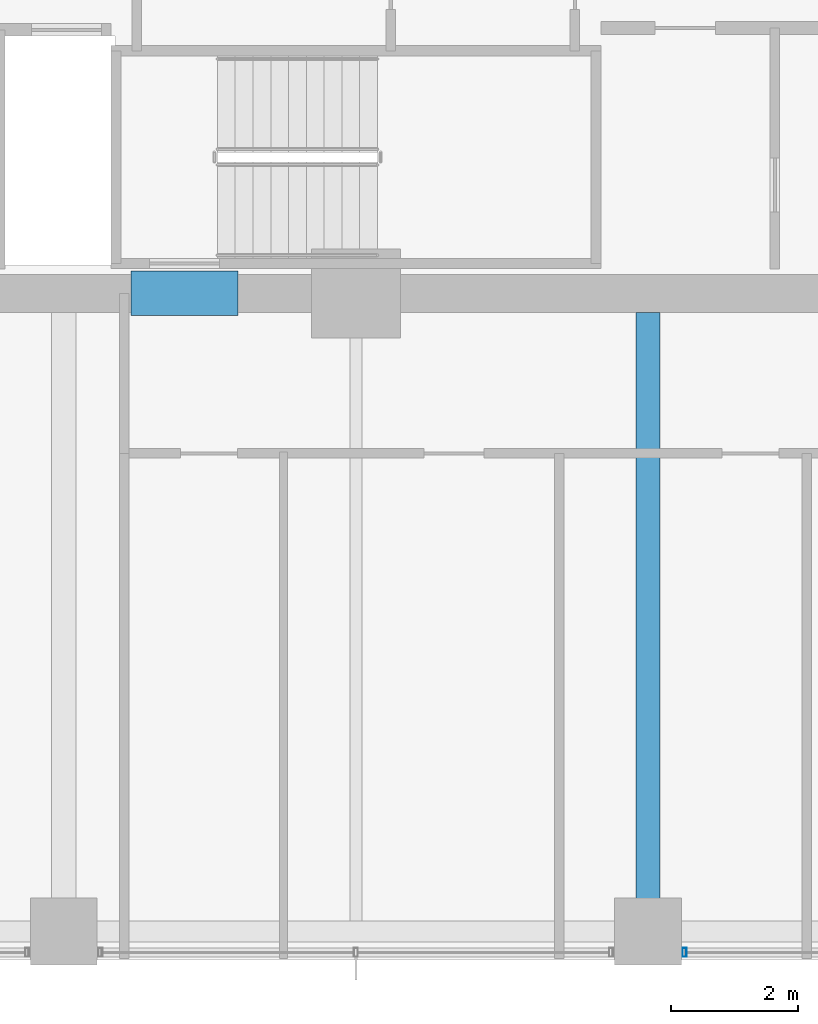
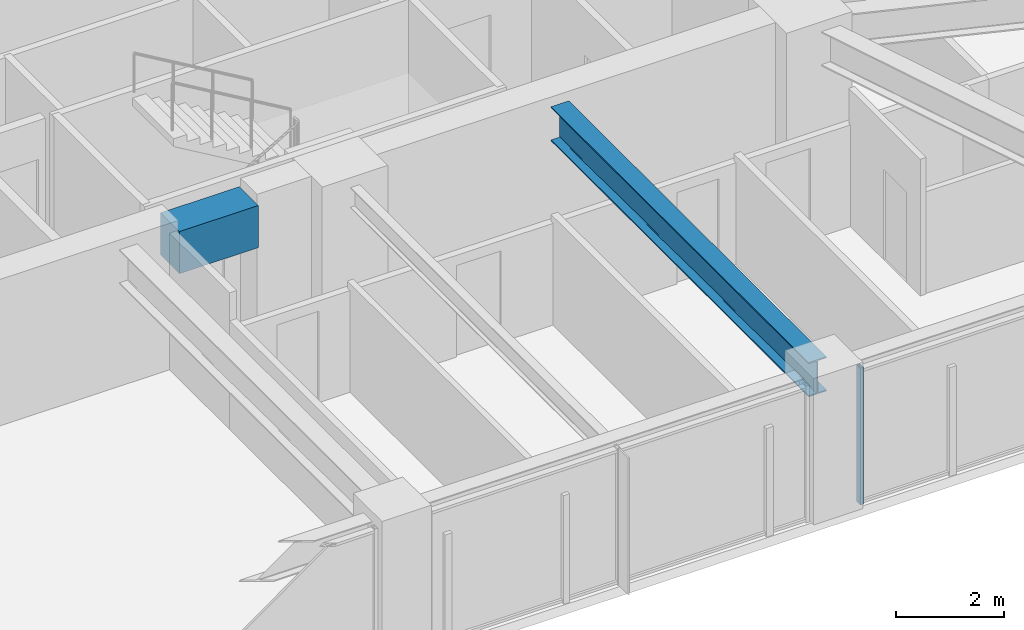
# One storey, part 7 of 36: 2 beams, 1 member, 1 element without a shape of its own.
"""IFC4 building model written with IfcOpenShell, lengths in metres."""

from ifc_helpers import new_model, si_unit, direction, frame, origin, origin_2d, place, context, subcontext, project, spatial, rectangle, hollow_rectangle, i_section, extrude, material, material_profile, profile_set, type_object, element, aggregate, save


model = new_model("IFC4")

# Units and contexts
model_context = context("Model", 3, precision=1e-05, world=origin(), true_north=direction((0.0, 1.0)))
body_context = subcontext(model_context, "Body", "Model", "MODEL_VIEW")
ifc_project = project(units=[si_unit("LENGTHUNIT", "METRE"), si_unit("AREAUNIT", "SQUARE_METRE"), si_unit("VOLUMEUNIT", "CUBIC_METRE"), si_unit("PLANEANGLEUNIT", "RADIAN"), si_unit("MASSUNIT", "GRAM", prefix="KILO")], contexts=[model_context])

# Site, building, storey
site_placement = place(None, origin())
site = spatial("IfcSite", under=ifc_project, at=site_placement, CompositionType="ELEMENT")
building_placement = place(site_placement, origin())
building = spatial("IfcBuilding", under=site, at=building_placement, Name="Kolvaren Belvedere", CompositionType="ELEMENT")
storey_placement = place(building_placement, frame((0.0, 0.0, 88.699951171875)))
storey = spatial("IfcBuildingStorey", under=building, at=storey_placement, Name="L25", CompositionType="ELEMENT", Elevation=88.699951171875)

# Beams
ifc_material_1 = material(Name="Structural steel ASTM A992 Grade 50", Category="steel")
ifc_material_profile_1 = material_profile(ifc_material_1, i_section(OverallWidth=0.381103515625, OverallDepth=0.77294921875, WebThickness=0.0166015625, FlangeThickness=0.027099609375, FilletRadius=0.02392578125, at=origin_2d()), Name="W30X173")
ifc_profile_set_1 = profile_set([ifc_material_profile_1], Name="Structural steel ASTM A992 Grade 50")
beam_type_1 = type_object("IfcBeamType", Name="BM-GIRD-W30X173", PredefinedType="BEAM", material=ifc_profile_set_1)
beam_1_placement = place(storey_placement, frame((4.60009765625, -10.199951171875, 2.693603515625), z_axis=(0.0, -1.0, 0.0), x_axis=(1.0, 0.0, 0.0)))
element("IfcBeam", 1, at=beam_1_placement, inside=storey, type_object=beam_type_1, Name="L25 South Radial Girder P", PredefinedType="BEAM", context=body_context, shape_type="SweptSolid", body=[
    extrude(i_section(OverallWidth=0.381103515625, OverallDepth=0.77294921875, WebThickness=0.0166015625, FlangeThickness=0.027099609375, FilletRadius=0.02392578125, at=origin_2d()), origin(), (0.0, 0.0, 1.0), 9.513916015625),
])
ifc_material_2 = material(Name="Concrete C60/75", Category="concrete")
ifc_material_profile_2 = material_profile(ifc_material_2, rectangle(XDim=0.699951171875, YDim=0.949951171875, at=origin_2d()), Name="RC 700X950")
ifc_profile_set_2 = profile_set([ifc_material_profile_2], Name="Concrete C60/75")
beam_type_2 = type_object("IfcBeamType", Name="BM-LINT-950", PredefinedType="LINTEL", material=ifc_profile_set_2)
beam_2_placement = place(storey_placement, frame((-3.5400390625, -9.89990234375, 2.60498046875), z_axis=(1.0, 0.0, 0.0), x_axis=(0.0, 1.0, 0.0)))
element("IfcBeam", 2, at=beam_2_placement, inside=storey, type_object=beam_type_2, Name="L25 South Core Coupling Lintel", PredefinedType="LINTEL", context=body_context, shape_type="SweptSolid", body=[
    extrude(rectangle(XDim=0.699951171875, YDim=0.949951171875, at=origin_2d()), origin(), (0.0, 0.0, 1.0), 1.679931640625),
])

# Curtain wall, member
ifc_material_3 = material(Name="Anodised pale-metal aluminium AA 6063-T6", Category="aluminium")
curtain_wall_type = type_object("IfcCurtainWallType", Name="CW-Z2-MID", PredefinedType="NOTDEFINED", material=ifc_material_3)
curtain_wall_placement = place(storey_placement, origin())
curtain_wall = element("IfcCurtainWall", 3, at=curtain_wall_placement, inside=storey, type_object=curtain_wall_type, Name="L25 Unitised Curtain Wall FCW-L25-S-B1", PredefinedType="NOTDEFINED")
ifc_material_4 = material(Name="Anodised pale-metal aluminium AA 6063-T6", Category="aluminium")
ifc_material_profile_3 = material_profile(ifc_material_4, hollow_rectangle(XDim=0.06494140625, YDim=0.139892578125, WallThickness=0.00390625, at=origin_2d()), Name="ALU-MUL-140X65")
ifc_profile_set_3 = profile_set([ifc_material_profile_3], Name="Anodised pale-metal aluminium AA 6063-T6")
member_type = type_object("IfcMemberType", Name="CW-MUL-140", PredefinedType="MULLION", material=ifc_profile_set_3)
member_placement = place(storey_placement, frame((5.177490234375, -20.280029296875, 0.0), z_axis=(0.0, 0.0, 1.0), x_axis=(1.0, 0.0, 0.0)))
member = element("IfcMember", 4, at=member_placement, type_object=member_type, Name="FCW-L25-S-B1 Unitised Mullion 3", PredefinedType="MULLION", context=body_context, shape_type="SweptSolid", body=[
    extrude(hollow_rectangle(XDim=0.06494140625, YDim=0.139892578125, WallThickness=0.00390625, at=origin_2d()), origin(), (0.0, 0.0, 1.0), 3.080078125),
])
aggregate(curtain_wall, [member])

save(model, "model.ifc")
